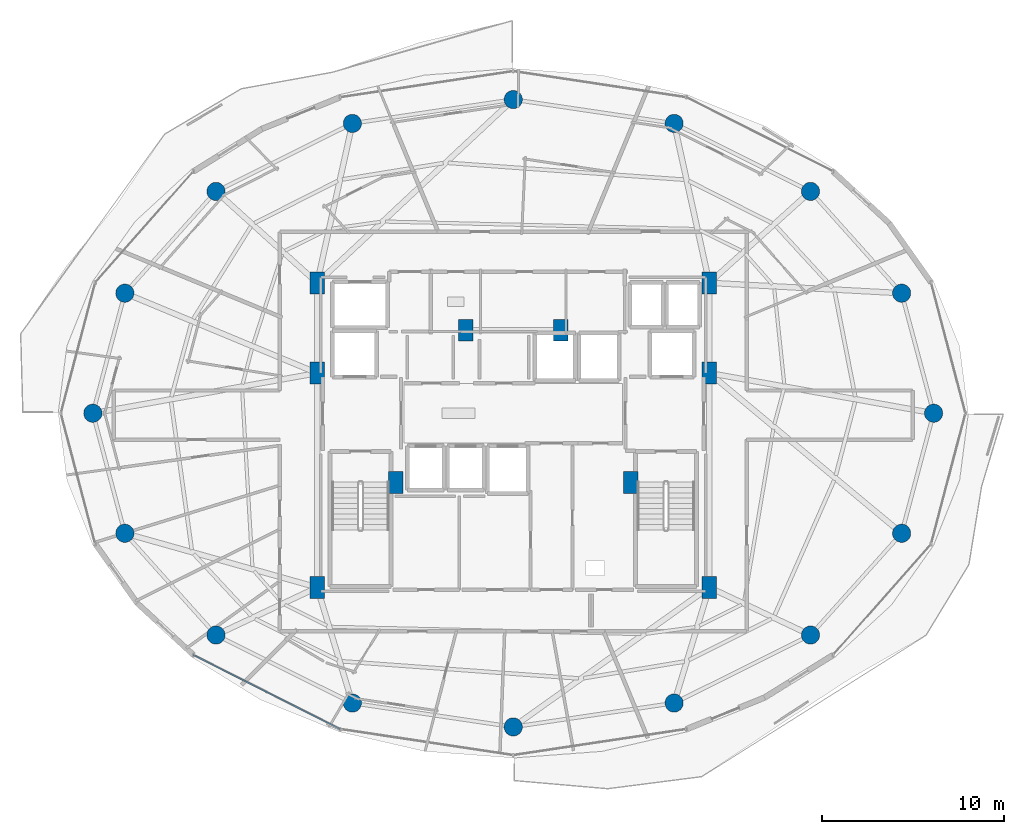
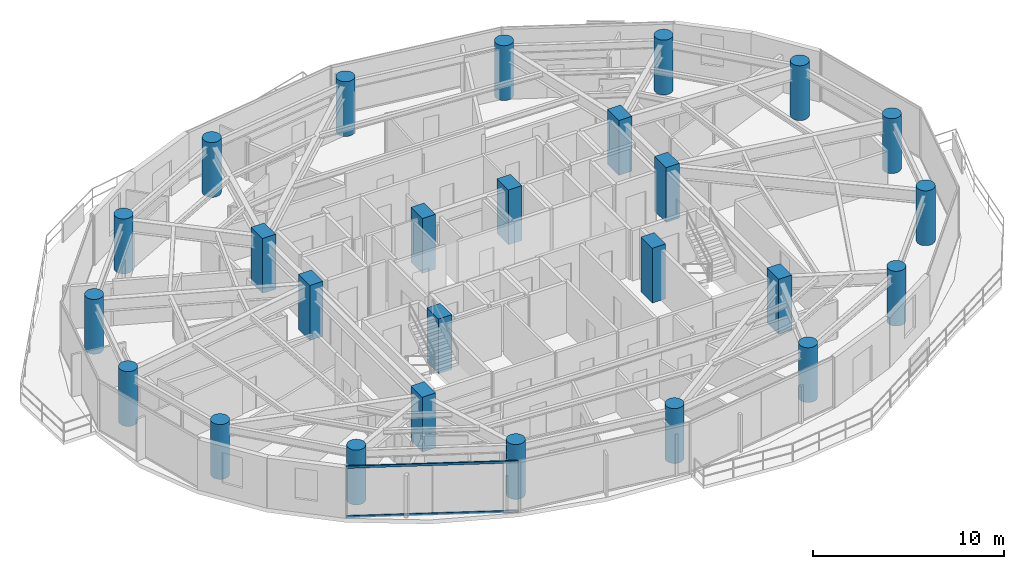
# One storey, part 1 of 29: 26 columns, 2 members, 1 element without a shape of its own.
"""IFC4 building model written with IfcOpenShell, lengths in metres."""

from ifc_helpers import new_model, si_unit, direction, frame, origin, origin_2d, place, context, subcontext, project, spatial, rectangle, hollow_rectangle, circle, extrude, material, material_profile, profile_set, type_object, element, aggregate, save


model = new_model("IFC4")

# Units and contexts
model_context = context("Model", 3, precision=1e-05, world=origin(), true_north=direction((0.0, 1.0)))
body_context = subcontext(model_context, "Body", "Model", "MODEL_VIEW")
ifc_project = project(units=[si_unit("LENGTHUNIT", "METRE"), si_unit("AREAUNIT", "SQUARE_METRE"), si_unit("VOLUMEUNIT", "CUBIC_METRE"), si_unit("PLANEANGLEUNIT", "RADIAN"), si_unit("MASSUNIT", "GRAM", prefix="KILO")], contexts=[model_context])

# Site, building, storey
site_placement = place(None, origin())
site = spatial("IfcSite", under=ifc_project, at=site_placement, CompositionType="ELEMENT")
building_placement = place(site_placement, origin())
building = spatial("IfcBuilding", under=site, at=building_placement, Name="Vorneva Point Tower", CompositionType="ELEMENT")
storey_placement = place(building_placement, frame((0.0, 0.0, 171.10009765625)))
storey = spatial("IfcBuildingStorey", under=building, at=storey_placement, Name="L46", CompositionType="ELEMENT", Elevation=171.10009765625)

# Columns
ifc_material_1 = material(Name="Concrete B60 (C50/60)", Category="concrete")
ifc_material_profile_1 = material_profile(ifc_material_1, circle(Radius=0.5, at=origin_2d()), Name="RC-CIRC 1000")
ifc_profile_set_1 = profile_set([ifc_material_profile_1], Name="Concrete B60 (C50/60)")
column_type_1 = type_object("IfcColumnType", Name="COL-RC1000C", PredefinedType="COLUMN", material=ifc_profile_set_1)
for number, where, z_axis, x_axis, name in (
    (1, (61.050048828125, 26.0, 0.0), (0.0, 0.0, 1.0), (1.0, 0.0, 0.0), "L46 Perimeter Column P01"),
    (2, (59.29541015625, 32.582275390625, 0.0), (0.0, 0.0, 1.0), (0.923879532511, 0.382683432365, 0.0), "L46 Perimeter Column P02"),
    (3, (54.298828125, 38.162109375, 0.0), (0.0, 0.0, 1.0), (0.707106781187, 0.707106781187, 0.0), "L46 Perimeter Column P03"),
    (4, (46.82080078125, 41.890625, 0.0), (0.0, 0.0, 1.0), (0.382683432365, 0.923879532511, 0.0), "L46 Perimeter Column P04"),
    (5, (38.0, 43.199951171875, 0.0), (0.0, 0.0, 1.0), (0.0, 1.0, 0.0), "L46 Perimeter Column P05"),
    (6, (29.17919921875, 41.890625, 0.0), (0.0, 0.0, 1.0), (-0.382683432365, 0.923879532511, 0.0), "L46 Perimeter Column P06"),
    (7, (21.701171875, 38.162109375, 0.0), (0.0, 0.0, 1.0), (-0.707106781187, 0.707106781187, 0.0), "L46 Perimeter Column P07"),
    (8, (16.70458984375, 32.582275390625, 0.0), (0.0, 0.0, 1.0), (-0.923879532511, 0.382683432365, 0.0), "L46 Perimeter Column P08"),
    (9, (14.949951171875, 26.0, 0.0), (0.0, 0.0, 1.0), (-1.0, 0.0, 0.0), "L46 Perimeter Column P09"),
    (10, (16.70458984375, 19.417724609375, 0.0), (0.0, 0.0, 1.0), (-0.923879532511, -0.382683432365, 0.0), "L46 Perimeter Column P10"),
    (11, (21.701171875, 13.837890625, 0.0), (0.0, 0.0, 1.0), (-0.707106781187, -0.707106781187, 0.0), "L46 Perimeter Column P11"),
    (12, (29.17919921875, 10.109375, 0.0), (0.0, 0.0, 1.0), (-0.382683432365, -0.923879532511, 0.0), "L46 Perimeter Column P12"),
    (13, (38.0, 8.800048828125, 0.0), (0.0, 0.0, 1.0), (0.0, -1.0, 0.0), "L46 Perimeter Column P13"),
    (14, (46.82080078125, 10.109375, 0.0), (0.0, 0.0, 1.0), (0.382683432365, -0.923879532511, 0.0), "L46 Perimeter Column P14"),
    (15, (54.298828125, 13.837890625, 0.0), (0.0, 0.0, 1.0), (0.707106781187, -0.707106781187, 0.0), "L46 Perimeter Column P15"),
    (16, (59.29541015625, 19.417724609375, 0.0), (0.0, 0.0, 1.0), (0.923879532511, -0.382683432365, 0.0), "L46 Perimeter Column P16"),
):
    element("IfcColumn", number, at=place(storey_placement, frame(where, z_axis=z_axis, x_axis=x_axis)), inside=storey, type_object=column_type_1, Name=name, PredefinedType="COLUMN", context=body_context, shape_type="SweptSolid", body=[
        extrude(circle(Radius=0.5, at=origin_2d()), origin(), (0.0, 0.0, 1.0), 3.5),
    ])
ifc_material_profile_2 = material_profile(ifc_material_1, rectangle(XDim=0.800048828125, YDim=1.199951171875, at=origin_2d()), Name="RC-PIL 1200x800")
ifc_profile_set_2 = profile_set([ifc_material_profile_2], Name="Concrete B60 (C50/60)")
column_type_2 = type_object("IfcColumnType", Name="PIL-RC1200x800", PredefinedType="PILASTER", material=ifc_profile_set_2)
for number, where, z_axis, x_axis, name in (
    (17, (27.25, 16.449951171875, 0.0), (0.0, 0.0, 1.0), (1.0, 0.0, 0.0), "L46 Core Pilaster CP1"),
    (18, (27.25, 28.199951171875, 0.0), (0.0, 0.0, 1.0), (1.0, 0.0, 0.0), "L46 Core Pilaster CP2"),
    (19, (27.25, 33.14990234375, 0.0), (0.0, 0.0, 1.0), (1.0, 0.0, 0.0), "L46 Core Pilaster CP3"),
    (20, (31.550048828125, 22.199951171875, 0.0), (0.0, 0.0, 1.0), (1.0, 0.0, 0.0), "L46 Core Pilaster CP4"),
    (21, (48.75, 33.14990234375, 0.0), (0.0, 0.0, 1.0), (1.0, 0.0, 0.0), "L46 Core Pilaster CP5"),
    (22, (48.75, 28.199951171875, 0.0), (0.0, 0.0, 1.0), (1.0, 0.0, 0.0), "L46 Core Pilaster CP6"),
    (23, (48.75, 16.449951171875, 0.0), (0.0, 0.0, 1.0), (1.0, 0.0, 0.0), "L46 Core Pilaster CP7"),
    (24, (44.449951171875, 22.199951171875, 0.0), (0.0, 0.0, 1.0), (1.0, 0.0, 0.0), "L46 Core Pilaster CP8"),
    (25, (35.39990234375, 30.550048828125, 0.0), (0.0, 0.0, 1.0), (1.0, 0.0, 0.0), "L46 Core Pilaster CP9"),
    (26, (40.60009765625, 30.550048828125, 0.0), (0.0, 0.0, 1.0), (1.0, 0.0, 0.0), "L46 Core Pilaster CP10"),
):
    element("IfcColumn", number, at=place(storey_placement, frame(where, z_axis=z_axis, x_axis=x_axis)), inside=storey, type_object=column_type_2, Name=name, PredefinedType="PILASTER", context=body_context, shape_type="SweptSolid", body=[
        extrude(rectangle(XDim=0.800048828125, YDim=1.199951171875, at=origin_2d()), origin(), (0.0, 0.0, 1.0), 3.5),
    ])

# Curtain wall, members
ifc_material_2 = material(Name="Pale anodised aluminium", Category="aluminium")
curtain_wall_type = type_object("IfcCurtainWallType", Name="CW-RES-SYS", PredefinedType="NOTDEFINED", material=ifc_material_2)
curtain_wall_placement = place(storey_placement, origin())
curtain_wall = element("IfcCurtainWall", 27, at=curtain_wall_placement, inside=storey, type_object=curtain_wall_type, Name="L46 Unitised Curtain Wall CW-L46-R04", PredefinedType="NOTDEFINED")
ifc_material_profile_3 = material_profile(ifc_material_2, hollow_rectangle(XDim=0.074951171875, YDim=0.14990234375, WallThickness=0.00390625, at=origin_2d()), Name="AL-TRN 150x75x4")
ifc_profile_set_3 = profile_set([ifc_material_profile_3], Name="Pale anodised aluminium")
member_type = type_object("IfcMemberType", Name="CW-TRN-150", PredefinedType="USERDEFINED", material=ifc_profile_set_3)
member_1_placement = place(storey_placement, frame((20.4638671875, 12.74169921875, 0.02001953125), z_axis=(0.892572392955, -0.450904117673, 0.0), x_axis=(0.450904117673, 0.892572392955, 0.0)))
member_1 = element("IfcMember", 28, at=member_1_placement, type_object=member_type, Name="CW-L46-R04 Transom 01.1", ObjectType="TRANSOM", PredefinedType="USERDEFINED", context=body_context, shape_type="SweptSolid", body=[
    extrude(hollow_rectangle(XDim=0.074951171875, YDim=0.14990234375, WallThickness=0.00390625, at=origin_2d()), origin(), (0.0, 0.0, 1.0), 9.013916015625),
])
member_2_placement = place(storey_placement, frame((20.4638671875, 12.74169921875, 3.179931640625), z_axis=(0.892572392955, -0.450904117673, 0.0), x_axis=(0.450904117673, 0.892572392955, 0.0)))
member_2 = element("IfcMember", 29, at=member_2_placement, type_object=member_type, Name="CW-L46-R04 Transom 01.2", ObjectType="TRANSOM", PredefinedType="USERDEFINED", context=body_context, shape_type="SweptSolid", body=[
    extrude(hollow_rectangle(XDim=0.074951171875, YDim=0.14990234375, WallThickness=0.00390625, at=origin_2d()), origin(), (0.0, 0.0, 1.0), 9.013916015625),
])
aggregate(curtain_wall, [member_1, member_2])

save(model, "model.ifc")
